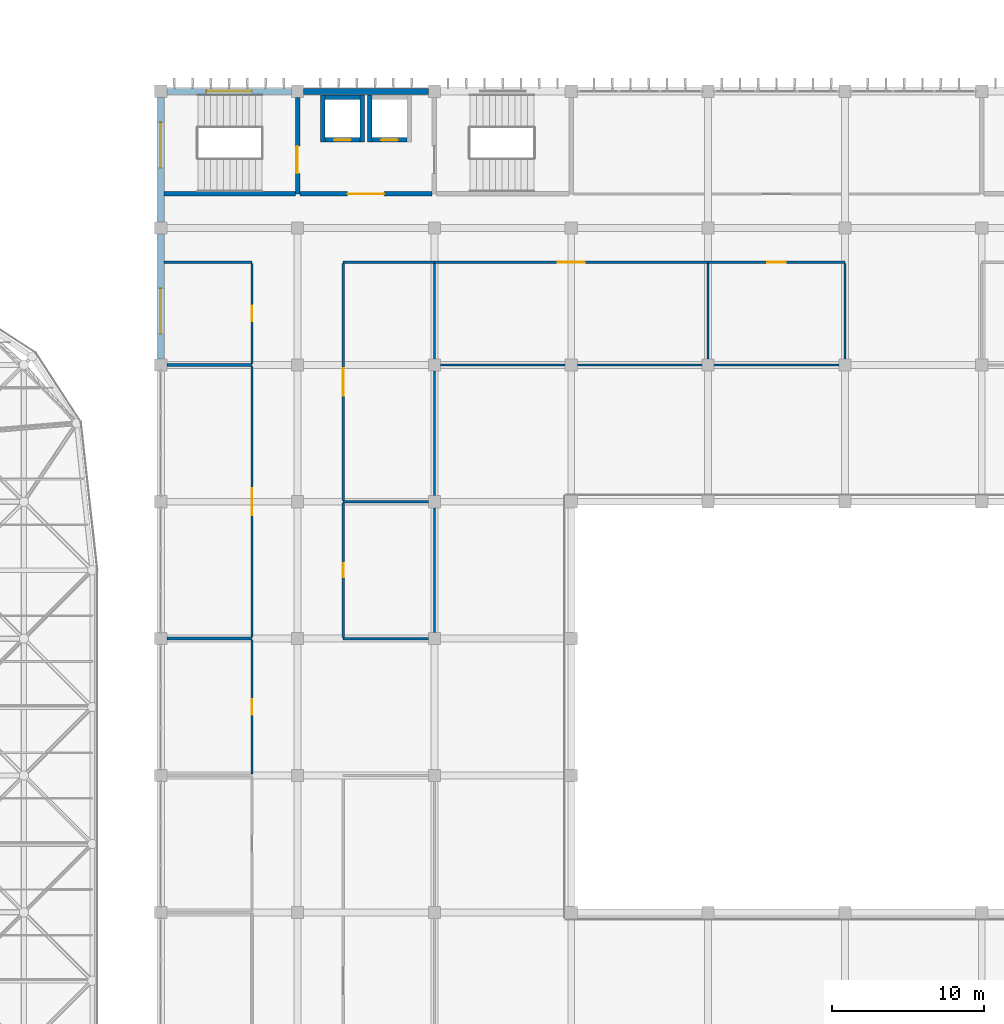
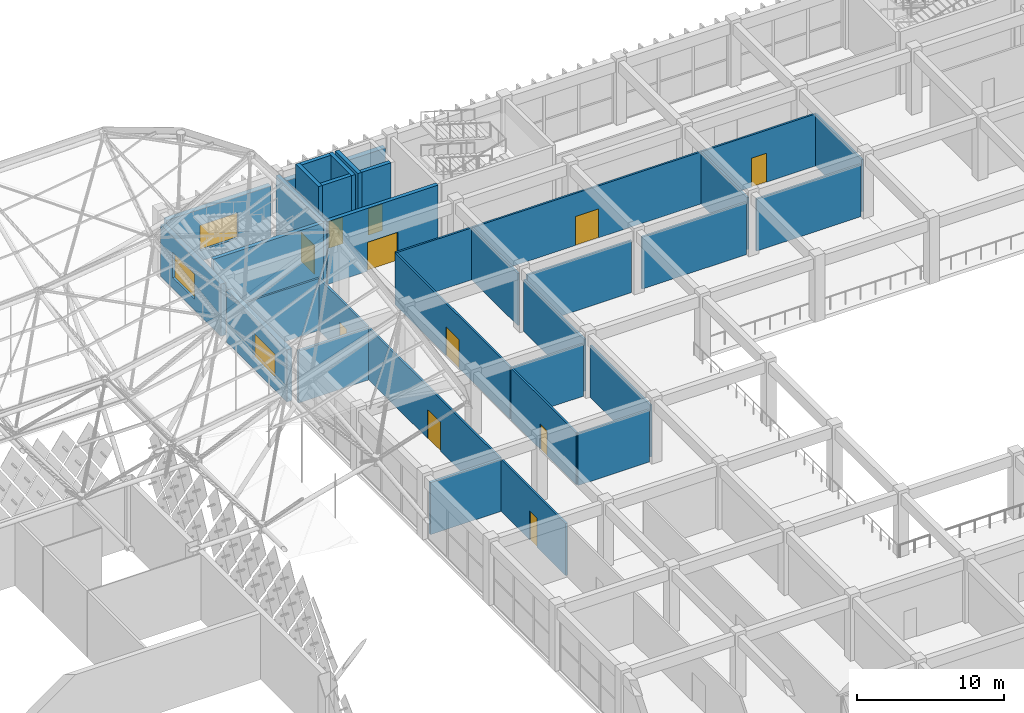
# One storey, part 279 of 437: 34 walls, 11 doors, 3 windows, 14 openings.
"""IFC4 building model written with IfcOpenShell, lengths in metres."""

from ifc_helpers import new_model, si_unit, direction, frame, frame_2d, origin, place, context, subcontext, project, spatial, rectangle, extrude, material, layer, layer_set, type_object, element, fill, save


model = new_model("IFC4")

# Units and contexts
model_context = context("Model", 3, precision=1e-05, world=origin(), true_north=direction((0.0, 1.0)))
body_context = subcontext(model_context, "Body", "Model", "MODEL_VIEW")
ifc_project = project(units=[si_unit("LENGTHUNIT", "METRE"), si_unit("AREAUNIT", "SQUARE_METRE"), si_unit("VOLUMEUNIT", "CUBIC_METRE"), si_unit("PLANEANGLEUNIT", "RADIAN"), si_unit("MASSUNIT", "GRAM", prefix="KILO")], contexts=[model_context])

# Site, building, storey
site_placement = place(None, origin())
site = spatial("IfcSite", under=ifc_project, at=site_placement, CompositionType="ELEMENT")
building_placement = place(site_placement, origin())
building = spatial("IfcBuilding", under=site, at=building_placement, Name="Opaline Strait Convention Centre", CompositionType="ELEMENT")
storey_placement = place(building_placement, frame((0.0, 0.0, 11.5)))
storey = spatial("IfcBuildingStorey", under=building, at=storey_placement, Name="L02", CompositionType="ELEMENT", Elevation=11.5)

# Walls
ifc_material_1 = material(Name="Gypsum board")
ifc_layer_1 = layer(ifc_material_1, 0.050048828125)
ifc_material_2 = material(Name="Steel stud and mineral wool", Category="steel")
ifc_layer_2 = layer(ifc_material_2, 0.10009765625)
ifc_layer_3 = layer(ifc_material_1, 0.050048828125)
ifc_layer_set_1 = layer_set([ifc_layer_1, ifc_layer_2, ifc_layer_3], Name="Gypsum board, Steel stud and mineral wool, Gypsum board")
wall_type_1 = type_object("IfcWallType", Name="Acoustic partition 200 EI45", PredefinedType="PARTITIONING", material=ifc_layer_set_1)
for number, where, z_axis, x_axis, name in (
    (1, (279.39990234375, 144.0, 0.0), (0.0, 0.0, 1.0), (1.0, 0.0, 0.0), "MPW5 partition VIP Suite 2.04 N"),
    (2, (279.39990234375, 162.0, 0.0), (0.0, 0.0, 1.0), (1.0, 0.0, 0.0), "MPW5 partition Meeting Room 2.05 N"),
):
    element("IfcWall", number, at=place(storey_placement, frame(where, z_axis=z_axis, x_axis=x_axis)), inside=storey, type_object=wall_type_1, Name=name, PredefinedType="PARTITIONING", context=body_context, shape_type="SweptSolid", body=[
        extrude(rectangle(XDim=5.60009765625, YDim=0.199951171875, at=frame_2d((2.800048828125, 0.0))), origin(), (0.0, 0.0, 1.0), 4.320068359375),
    ])

# Wall, opening, door
ifc_layer_4 = layer(ifc_material_1, 0.032470703125)
ifc_layer_5 = layer(ifc_material_2, 0.0849609375)
ifc_layer_6 = layer(ifc_material_1, 0.032470703125)
ifc_layer_set_2 = layer_set([ifc_layer_4, ifc_layer_5, ifc_layer_6], Name="Gypsum board, Steel stud and mineral wool, Gypsum board")
wall_type_2 = type_object("IfcWallType", Name="Corridor partition 150 EI60", PredefinedType="PARTITIONING", material=ifc_layer_set_2)
wall_1_placement = place(storey_placement, frame((285.0, 135.10009765625, 0.0), z_axis=(0.0, 0.0, 1.0), x_axis=(0.0, 1.0, 0.0)))
wall_1 = element("IfcWall", 3, at=wall_1_placement, inside=storey, type_object=wall_type_2, Name="MPW1 partition VIP Suite 2.04 E", PredefinedType="PARTITIONING", context=body_context, shape_type="SweptSolid", body=[
    extrude(rectangle(XDim=8.7998046875, YDim=0.14990234375, at=frame_2d((4.39990234375, 0.0))), origin(), (0.0, 0.0, 1.0), 4.320068359375),
])
opening_1_placement = place(wall_1_placement, frame((3.89990234375, 0.0, 0.0)))
opening_1 = element("IfcOpeningElement", 4, at=opening_1_placement, cuts=wall_1, Name="Opening M2-024", PredefinedType="OPENING", context=body_context, shape_type="SweptSolid", body=[
    extrude(rectangle(XDim=1.0, YDim=2.39990234375, at=frame_2d((0.5, 1.199951171875))), frame((0.0, 0.0849609375, 0.0), z_axis=(0.0, -1.0, 0.0), x_axis=(1.0, 0.0, 0.0)), (0.0, 0.0, 1.0), 0.169921875),
])
ifc_material_3 = material(Name="Solid-core timber leaf, steel frame door set", Category="steel")
door_type_1 = type_object("IfcDoorType", Name="Meeting room door FD30 1000 x 2400", OperationType="SINGLE_SWING_LEFT", PredefinedType="DOOR", material=ifc_material_3)
door_1_placement = place(opening_1_placement, frame((1.0, 0.0, 0.0), z_axis=(0.0, 0.0, 1.0), x_axis=(-1.0, 0.0, 0.0)))
door_1 = element("IfcDoor", 5, at=door_1_placement, inside=storey, type_object=door_type_1, Name="Door VIP Suite 2.04", ObjectType="MD8", OperationType="SINGLE_SWING_RIGHT", OverallHeight=2.39990234375, OverallWidth=1.0, PredefinedType="DOOR", context=body_context, shape_type="SweptSolid", body=[
    extrude(rectangle(XDim=1.0, YDim=2.39990234375, at=frame_2d((0.5, 1.199951171875))), frame((0.0, 0.02490234375, 0.0), z_axis=(0.0, -1.0, 0.0), x_axis=(1.0, 0.0, 0.0)), (0.0, 0.0, 1.0), 0.050048828125),
])
fill(opening_1, door_1)

wall_2_placement = place(storey_placement, frame((285.0, 144.10009765625, 0.0), z_axis=(0.0, 0.0, 1.0), x_axis=(0.0, 1.0, 0.0)))
wall_2 = element("IfcWall", 6, at=wall_2_placement, inside=storey, type_object=wall_type_2, Name="MPW1 partition Meeting Room 2.05 E", PredefinedType="PARTITIONING", context=body_context, shape_type="SweptSolid", body=[
    extrude(rectangle(XDim=17.7998046875, YDim=0.14990234375, at=frame_2d((8.89990234375, 0.0))), origin(), (0.0, 0.0, 1.0), 4.320068359375),
])
opening_2_placement = place(wall_2_placement, frame((8.0, 0.0, 0.0)))
opening_2 = element("IfcOpeningElement", 7, at=opening_2_placement, cuts=wall_2, Name="Opening M2-025", PredefinedType="OPENING", context=body_context, shape_type="SweptSolid", body=[
    extrude(rectangle(XDim=1.800048828125, YDim=2.39990234375, at=frame_2d((0.89990234375, 1.199951171875))), frame((0.0, 0.0849609375, 0.0), z_axis=(0.0, -1.0, 0.0), x_axis=(1.0, 0.0, 0.0)), (0.0, 0.0, 1.0), 0.169921875),
])
door_type_2 = type_object("IfcDoorType", Name="Meeting room double door FD30 1800 x 2400", OperationType="DOUBLE_DOOR_SINGLE_SWING", PredefinedType="DOOR", material=ifc_material_3)
door_2_placement = place(opening_2_placement, frame((1.800048828125, 0.0, 0.0), z_axis=(0.0, 0.0, 1.0), x_axis=(-1.0, 0.0, 0.0)))
door_2 = element("IfcDoor", 8, at=door_2_placement, inside=storey, type_object=door_type_2, Name="Door Meeting Room 2.05", ObjectType="MD7", OperationType="DOUBLE_DOOR_SINGLE_SWING", OverallHeight=2.39990234375, OverallWidth=1.800048828125, PredefinedType="DOOR", context=body_context, shape_type="SweptSolid", body=[
    extrude(rectangle(XDim=1.800048828125, YDim=2.39990234375, at=frame_2d((0.89990234375, 1.199951171875))), frame((0.0, 0.02490234375, 0.0), z_axis=(0.0, -1.0, 0.0), x_axis=(1.0, 0.0, 0.0)), (0.0, 0.0, 1.0), 0.050048828125),
])
fill(opening_2, door_2)

# Wall
wall_3_placement = place(storey_placement, frame((279.199951171875, 168.75, 0.0), z_axis=(0.0, 0.0, 1.0), x_axis=(1.0, 0.0, 0.0)))
element("IfcWall", 9, at=wall_3_placement, inside=storey, type_object=wall_type_2, Name="MPW1 partition Boardroom 2.06 N", PredefinedType="PARTITIONING", context=body_context, shape_type="SweptSolid", body=[
    extrude(rectangle(XDim=5.800048828125, YDim=0.14990234375, at=frame_2d((2.89990234375, 0.0))), origin(), (0.0, 0.0, 1.0), 4.320068359375),
])

# Wall, opening, door
wall_4_placement = place(storey_placement, frame((285.0, 162.10009765625, 0.0), z_axis=(0.0, 0.0, 1.0), x_axis=(0.0, 1.0, 0.0)))
wall_4 = element("IfcWall", 10, at=wall_4_placement, inside=storey, type_object=wall_type_2, Name="MPW1 partition Boardroom 2.06 E", PredefinedType="PARTITIONING", context=body_context, shape_type="SweptSolid", body=[
    extrude(rectangle(XDim=6.574951171875, YDim=0.14990234375, at=frame_2d((3.28759765625, 0.0))), origin(), (0.0, 0.0, 1.0), 4.320068359375),
])
opening_3_placement = place(wall_4_placement, frame((2.787353515625, 0.0, 0.0)))
opening_3 = element("IfcOpeningElement", 11, at=opening_3_placement, cuts=wall_4, Name="Opening M2-026", PredefinedType="OPENING", context=body_context, shape_type="SweptSolid", body=[
    extrude(rectangle(XDim=1.0, YDim=2.39990234375, at=frame_2d((0.5, 1.199951171875))), frame((0.0, 0.0849609375, 0.0), z_axis=(0.0, -1.0, 0.0), x_axis=(1.0, 0.0, 0.0)), (0.0, 0.0, 1.0), 0.169921875),
])
door_3_placement = place(opening_3_placement, frame((1.0, 0.0, 0.0), z_axis=(0.0, 0.0, 1.0), x_axis=(-1.0, 0.0, 0.0)))
door_3 = element("IfcDoor", 12, at=door_3_placement, inside=storey, type_object=door_type_1, Name="Door Boardroom 2.06", ObjectType="MD8", OperationType="SINGLE_SWING_LEFT", OverallHeight=2.39990234375, OverallWidth=1.0, PredefinedType="DOOR", context=body_context, shape_type="SweptSolid", body=[
    extrude(rectangle(XDim=1.0, YDim=2.39990234375, at=frame_2d((0.5, 1.199951171875))), frame((0.0, 0.02490234375, 0.0), z_axis=(0.0, -1.0, 0.0), x_axis=(1.0, 0.0, 0.0)), (0.0, 0.0, 1.0), 0.050048828125),
])
fill(opening_3, door_3)

# Wall
wall_5_placement = place(storey_placement, frame((291.0, 168.75, 0.0), z_axis=(0.0, 0.0, 1.0), x_axis=(1.0, 0.0, 0.0)))
element("IfcWall", 13, at=wall_5_placement, inside=storey, type_object=wall_type_2, Name="MPW1 partition VIP Suite 2.10 N", PredefinedType="PARTITIONING", context=body_context, shape_type="SweptSolid", body=[
    extrude(rectangle(XDim=6.0, YDim=0.14990234375, at=frame_2d((3.0, 0.0))), origin(), (0.0, 0.0, 1.0), 4.320068359375),
])

# Wall, opening, door
wall_6_placement = place(storey_placement, frame((291.0, 153.074951171875, 0.0), z_axis=(0.0, 0.0, 1.0), x_axis=(0.0, 1.0, 0.0)))
wall_6 = element("IfcWall", 14, at=wall_6_placement, inside=storey, type_object=wall_type_2, Name="MPW1 partition VIP Suite 2.10 W", PredefinedType="PARTITIONING", context=body_context, shape_type="SweptSolid", body=[
    extrude(rectangle(XDim=15.60009765625, YDim=0.14990234375, at=frame_2d((7.800048828125, 0.0))), origin(), (0.0, 0.0, 1.0), 4.320068359375),
])
opening_4_placement = place(wall_6_placement, frame((6.900146484375, 0.0, 0.0)))
opening_4 = element("IfcOpeningElement", 15, at=opening_4_placement, cuts=wall_6, Name="Opening M2-030", PredefinedType="OPENING", context=body_context, shape_type="SweptSolid", body=[
    extrude(rectangle(XDim=1.800048828125, YDim=2.39990234375, at=frame_2d((0.89990234375, 1.199951171875))), frame((0.0, 0.0849609375, 0.0), z_axis=(0.0, -1.0, 0.0), x_axis=(1.0, 0.0, 0.0)), (0.0, 0.0, 1.0), 0.169921875),
])
door_4_placement = place(opening_4_placement, origin())
door_4 = element("IfcDoor", 16, at=door_4_placement, inside=storey, type_object=door_type_2, Name="Door VIP Suite 2.10", ObjectType="MD7", OperationType="DOUBLE_DOOR_SINGLE_SWING", OverallHeight=2.39990234375, OverallWidth=1.800048828125, PredefinedType="DOOR", context=body_context, shape_type="SweptSolid", body=[
    extrude(rectangle(XDim=1.800048828125, YDim=2.39990234375, at=frame_2d((0.89990234375, 1.199951171875))), frame((0.0, 0.02490234375, 0.0), z_axis=(0.0, -1.0, 0.0), x_axis=(1.0, 0.0, 0.0)), (0.0, 0.0, 1.0), 0.050048828125),
])
fill(opening_4, door_4)

# Walls
wall_7_placement = place(storey_placement, frame((297.0, 153.39990234375, 0.0), z_axis=(0.0, 0.0, 1.0), x_axis=(0.0, 1.0, 0.0)))
element("IfcWall", 17, at=wall_7_placement, inside=storey, type_object=wall_type_2, Name="MPW1 partition VIP Suite 2.10 E", PredefinedType="PARTITIONING", context=body_context, shape_type="SweptSolid", body=[
    extrude(rectangle(XDim=8.2001953125, YDim=0.14990234375, at=frame_2d((4.10009765625, 0.0))), origin(), (0.0, 0.0, 1.0), 4.320068359375),
])
wall_8_placement = place(storey_placement, frame((297.0, 162.39990234375, 0.0), z_axis=(0.0, 0.0, 1.0), x_axis=(0.0, 1.0, 0.0)))
element("IfcWall", 18, at=wall_8_placement, inside=storey, type_object=wall_type_2, Name="MPW1 partition VIP Suite 2.10 E", PredefinedType="PARTITIONING", context=body_context, shape_type="SweptSolid", body=[
    extrude(rectangle(XDim=6.275146484375, YDim=0.14990234375, at=frame_2d((3.1376953125, 0.0))), origin(), (0.0, 0.0, 1.0), 4.320068359375),
])
for number, where, z_axis, x_axis, name in (
    (19, (297.39990234375, 162.0, 0.0), (0.0, 0.0, 1.0), (1.0, 0.0, 0.0), "MPW1 partition VIP Suite 2.19 S"),
    (20, (306.39990234375, 162.0, 0.0), (0.0, 0.0, 1.0), (1.0, 0.0, 0.0), "MPW1 partition VIP Suite 2.19 S"),
):
    element("IfcWall", number, at=place(storey_placement, frame(where, z_axis=z_axis, x_axis=x_axis)), inside=storey, type_object=wall_type_2, Name=name, PredefinedType="PARTITIONING", context=body_context, shape_type="SweptSolid", body=[
        extrude(rectangle(XDim=8.2001953125, YDim=0.14990234375, at=frame_2d((4.10009765625, 0.0))), origin(), (0.0, 0.0, 1.0), 4.320068359375),
    ])

# Wall, opening, door
wall_9_placement = place(storey_placement, frame((297.0, 168.75, 0.0), z_axis=(0.0, 0.0, 1.0), x_axis=(1.0, 0.0, 0.0)))
wall_9 = element("IfcWall", 21, at=wall_9_placement, inside=storey, type_object=wall_type_2, Name="MPW1 partition VIP Suite 2.19 N", PredefinedType="PARTITIONING", context=body_context, shape_type="SweptSolid", body=[
    extrude(rectangle(XDim=18.0, YDim=0.14990234375, at=frame_2d((9.0, 0.0))), origin(), (0.0, 0.0, 1.0), 4.320068359375),
])
opening_5_placement = place(wall_9_placement, frame((8.10009765625, 0.0, 0.0)))
opening_5 = element("IfcOpeningElement", 22, at=opening_5_placement, cuts=wall_9, Name="Opening M2-039", PredefinedType="OPENING", context=body_context, shape_type="SweptSolid", body=[
    extrude(rectangle(XDim=1.800048828125, YDim=2.39990234375, at=frame_2d((0.89990234375, 1.199951171875))), frame((0.0, 0.0849609375, 0.0), z_axis=(0.0, -1.0, 0.0), x_axis=(1.0, 0.0, 0.0)), (0.0, 0.0, 1.0), 0.169921875),
])
door_5_placement = place(opening_5_placement, origin())
door_5 = element("IfcDoor", 23, at=door_5_placement, inside=storey, type_object=door_type_2, Name="Door VIP Suite 2.19", ObjectType="MD7", OperationType="DOUBLE_DOOR_SINGLE_SWING", OverallHeight=2.39990234375, OverallWidth=1.800048828125, PredefinedType="DOOR", context=body_context, shape_type="SweptSolid", body=[
    extrude(rectangle(XDim=1.800048828125, YDim=2.39990234375, at=frame_2d((0.89990234375, 1.199951171875))), frame((0.0, 0.02490234375, 0.0), z_axis=(0.0, -1.0, 0.0), x_axis=(1.0, 0.0, 0.0)), (0.0, 0.0, 1.0), 0.050048828125),
])
fill(opening_5, door_5)

# Wall, opening, window
ifc_material_4 = material(Name="Concrete C40 precast", Category="concrete")
ifc_layer_7 = layer(ifc_material_4, 0.10009765625)
ifc_material_5 = material(Name="Mineral wool insulation")
ifc_layer_8 = layer(ifc_material_5, 0.14990234375)
ifc_layer_9 = layer(ifc_material_4, 0.14990234375)
ifc_layer_set_3 = layer_set([ifc_layer_7, ifc_layer_8, ifc_layer_9], Name="Concrete C40 precast, Mineral wool insulation, Concrete C40 precast")
wall_type_3 = type_object("IfcWallType", Name="External wall 400 insulated precast EI60", PredefinedType="STANDARD", material=ifc_layer_set_3)
wall_10_placement = place(storey_placement, frame((279.39990234375, 180.0, 0.0), z_axis=(0.0, 0.0, 1.0), x_axis=(1.0, 0.0, 0.0)))
wall_10 = element("IfcWall", 24, at=wall_10_placement, inside=storey, type_object=wall_type_3, Name="External wall N L02 32/W", PredefinedType="STANDARD", context=body_context, shape_type="SweptSolid", body=[
    extrude(rectangle(XDim=8.2001953125, YDim=0.39990234375, at=frame_2d((4.10009765625, 0.0))), origin(), (0.0, 0.0, 1.0), 4.320068359375),
])
opening_6_placement = place(wall_10_placement, frame((2.60009765625, 0.0, 0.89990234375)))
opening_6 = element("IfcOpeningElement", 25, at=opening_6_placement, cuts=wall_10, Name="Opening MW2", PredefinedType="OPENING", context=body_context, shape_type="SweptSolid", body=[
    extrude(rectangle(XDim=3.0, YDim=2.10009765625, at=frame_2d((1.5, 1.050048828125))), frame((0.0, 0.2099609375, 0.0), z_axis=(0.0, -1.0, 0.0), x_axis=(1.0, 0.0, 0.0)), (0.0, 0.0, 1.0), 0.419921875),
])
ifc_material_6 = material(Name="Aluminium framed double glazing", Category="aluminium")
window_type = type_object("IfcWindowType", Name="Window 3000 x 2100", PartitioningType="TRIPLE_PANEL_VERTICAL", PredefinedType="WINDOW", material=ifc_material_6)
window_1_placement = place(opening_6_placement, origin())
window_1 = element("IfcWindow", 26, at=window_1_placement, inside=storey, type_object=window_type, Name="Window Escape Stair S5 N", OverallHeight=2.10009765625, OverallWidth=3.0, PartitioningType="TRIPLE_PANEL_VERTICAL", PredefinedType="WINDOW", context=body_context, shape_type="SweptSolid", body=[
    extrude(rectangle(XDim=3.0, YDim=2.10009765625, at=frame_2d((1.5, 1.050048828125))), frame((0.0, 0.030029296875, 0.0), z_axis=(0.0, -1.0, 0.0), x_axis=(1.0, 0.0, 0.0)), (0.0, 0.0, 1.0), 0.06005859375),
])
fill(opening_6, window_1)

# Wall
wall_11_placement = place(storey_placement, frame((288.39990234375, 180.0, 0.0), z_axis=(0.0, 0.0, 1.0), x_axis=(1.0, 0.0, 0.0)))
element("IfcWall", 27, at=wall_11_placement, inside=storey, type_object=wall_type_3, Name="External wall N L02 33/W", PredefinedType="STANDARD", context=body_context, shape_type="SweptSolid", body=[
    extrude(rectangle(XDim=8.2001953125, YDim=0.39990234375, at=frame_2d((4.10009765625, 0.0))), origin(), (0.0, 0.0, 1.0), 4.320068359375),
])

# Wall, opening, window
wall_12_placement = place(storey_placement, frame((279.0, 162.39990234375, 0.0), z_axis=(0.0, 0.0, 1.0), x_axis=(0.0, 1.0, 0.0)))
wall_12 = element("IfcWall", 28, at=wall_12_placement, inside=storey, type_object=wall_type_3, Name="External wall W L02 32/U", PredefinedType="STANDARD", context=body_context, shape_type="SweptSolid", body=[
    extrude(rectangle(XDim=8.2001953125, YDim=0.39990234375, at=frame_2d((4.10009765625, 0.0))), origin(), (0.0, 0.0, 1.0), 4.320068359375),
])
opening_7_placement = place(wall_12_placement, frame((1.6376953125, 0.0, 0.89990234375)))
opening_7 = element("IfcOpeningElement", 29, at=opening_7_placement, cuts=wall_12, Name="Opening MW2", PredefinedType="OPENING", context=body_context, shape_type="SweptSolid", body=[
    extrude(rectangle(XDim=3.0, YDim=2.10009765625, at=frame_2d((1.5, 1.050048828125))), frame((0.0, 0.2099609375, 0.0), z_axis=(0.0, -1.0, 0.0), x_axis=(1.0, 0.0, 0.0)), (0.0, 0.0, 1.0), 0.419921875),
])
window_2_placement = place(opening_7_placement, origin())
window_2 = element("IfcWindow", 30, at=window_2_placement, inside=storey, type_object=window_type, Name="Window Boardroom 2.06 W", OverallHeight=2.10009765625, OverallWidth=3.0, PartitioningType="TRIPLE_PANEL_VERTICAL", PredefinedType="WINDOW", context=body_context, shape_type="SweptSolid", body=[
    extrude(rectangle(XDim=3.0, YDim=2.10009765625, at=frame_2d((1.5, 1.050048828125))), frame((0.0, 0.030029296875, 0.0), z_axis=(0.0, -1.0, 0.0), x_axis=(1.0, 0.0, 0.0)), (0.0, 0.0, 1.0), 0.06005859375),
])
fill(opening_7, window_2)

wall_13_placement = place(storey_placement, frame((279.0, 171.39990234375, 0.0), z_axis=(0.0, 0.0, 1.0), x_axis=(0.0, 1.0, 0.0)))
wall_13 = element("IfcWall", 31, at=wall_13_placement, inside=storey, type_object=wall_type_3, Name="External wall W L02 32/V", PredefinedType="STANDARD", context=body_context, shape_type="SweptSolid", body=[
    extrude(rectangle(XDim=8.2001953125, YDim=0.39990234375, at=frame_2d((4.10009765625, 0.0))), origin(), (0.0, 0.0, 1.0), 4.320068359375),
])
opening_8_placement = place(wall_13_placement, frame((3.5625, 0.0, 0.89990234375)))
opening_8 = element("IfcOpeningElement", 32, at=opening_8_placement, cuts=wall_13, Name="Opening MW2", PredefinedType="OPENING", context=body_context, shape_type="SweptSolid", body=[
    extrude(rectangle(XDim=3.0, YDim=2.10009765625, at=frame_2d((1.5, 1.050048828125))), frame((0.0, 0.2099609375, 0.0), z_axis=(0.0, -1.0, 0.0), x_axis=(1.0, 0.0, 0.0)), (0.0, 0.0, 1.0), 0.419921875),
])
window_3_placement = place(opening_8_placement, origin())
window_3 = element("IfcWindow", 33, at=window_3_placement, inside=storey, type_object=window_type, Name="Window Escape Stair S5 W", OverallHeight=2.10009765625, OverallWidth=3.0, PartitioningType="TRIPLE_PANEL_VERTICAL", PredefinedType="WINDOW", context=body_context, shape_type="SweptSolid", body=[
    extrude(rectangle(XDim=3.0, YDim=2.10009765625, at=frame_2d((1.5, 1.050048828125))), frame((0.0, 0.030029296875, 0.0), z_axis=(0.0, -1.0, 0.0), x_axis=(1.0, 0.0, 0.0)), (0.0, 0.0, 1.0), 0.06005859375),
])
fill(opening_8, window_3)

# Walls
ifc_layer_10 = layer(ifc_material_1, 0.032470703125)
ifc_layer_11 = layer(ifc_material_2, 0.0849609375)
ifc_layer_12 = layer(ifc_material_1, 0.032470703125)
ifc_layer_set_4 = layer_set([ifc_layer_10, ifc_layer_11, ifc_layer_12], Name="Gypsum board, Steel stud and mineral wool, Gypsum board")
wall_type_4 = type_object("IfcWallType", Name="Plant room partition 150 EI120", PredefinedType="PARTITIONING", material=ifc_layer_set_4)
for number, where, z_axis, x_axis, name in (
    (34, (291.0, 144.0, 0.0), (0.0, 0.0, 1.0), (1.0, 0.0, 0.0), "MPW3 partition Riser Room 2.09 S"),
    (35, (291.0, 153.0, 0.0), (0.0, 0.0, 1.0), (1.0, 0.0, 0.0), "MPW3 partition Riser Room 2.09 N"),
):
    element("IfcWall", number, at=place(storey_placement, frame(where, z_axis=z_axis, x_axis=x_axis)), inside=storey, type_object=wall_type_4, Name=name, PredefinedType="PARTITIONING", context=body_context, shape_type="SweptSolid", body=[
        extrude(rectangle(XDim=5.60009765625, YDim=0.14990234375, at=frame_2d((2.800048828125, 0.0))), origin(), (0.0, 0.0, 1.0), 4.320068359375),
    ])

# Wall, opening, door
wall_14_placement = place(storey_placement, frame((291.0, 144.074951171875, 0.0), z_axis=(0.0, 0.0, 1.0), x_axis=(0.0, 1.0, 0.0)))
wall_14 = element("IfcWall", 36, at=wall_14_placement, inside=storey, type_object=wall_type_4, Name="MPW3 partition Riser Room 2.09 W", PredefinedType="PARTITIONING", context=body_context, shape_type="SweptSolid", body=[
    extrude(rectangle(XDim=8.85009765625, YDim=0.14990234375, at=frame_2d((4.425048828125, 0.0))), origin(), (0.0, 0.0, 1.0), 4.320068359375),
])
opening_9_placement = place(wall_14_placement, frame((3.97509765625, 0.0, 0.0)))
opening_9 = element("IfcOpeningElement", 37, at=opening_9_placement, cuts=wall_14, Name="Opening M2-029", PredefinedType="OPENING", context=body_context, shape_type="SweptSolid", body=[
    extrude(rectangle(XDim=0.89990234375, YDim=2.10009765625, at=frame_2d((0.449951171875, 1.050048828125))), frame((0.0, 0.0849609375, 0.0), z_axis=(0.0, -1.0, 0.0), x_axis=(1.0, 0.0, 0.0)), (0.0, 0.0, 1.0), 0.169921875),
])
ifc_material_7 = material(Name="Steel Q235B", Category="steel")
door_type_3 = type_object("IfcDoorType", Name="Riser door FD30 900 x 2100", OperationType="SINGLE_SWING_LEFT", PredefinedType="DOOR", material=ifc_material_7)
door_6_placement = place(opening_9_placement, origin())
door_6 = element("IfcDoor", 38, at=door_6_placement, inside=storey, type_object=door_type_3, Name="Door Riser Room 2.09", ObjectType="MD10", OperationType="SINGLE_SWING_RIGHT", OverallHeight=2.10009765625, OverallWidth=0.89990234375, PredefinedType="DOOR", context=body_context, shape_type="SweptSolid", body=[
    extrude(rectangle(XDim=0.89990234375, YDim=2.10009765625, at=frame_2d((0.449951171875, 1.050048828125))), frame((0.0, 0.02490234375, 0.0), z_axis=(0.0, -1.0, 0.0), x_axis=(1.0, 0.0, 0.0)), (0.0, 0.0, 1.0), 0.050048828125),
])
fill(opening_9, door_6)

# Walls
wall_15_placement = place(storey_placement, frame((297.0, 144.39990234375, 0.0), z_axis=(0.0, 0.0, 1.0), x_axis=(0.0, 1.0, 0.0)))
element("IfcWall", 39, at=wall_15_placement, inside=storey, type_object=wall_type_4, Name="MPW3 partition Riser Room 2.09 E", PredefinedType="PARTITIONING", context=body_context, shape_type="SweptSolid", body=[
    extrude(rectangle(XDim=8.2001953125, YDim=0.14990234375, at=frame_2d((4.10009765625, 0.0))), origin(), (0.0, 0.0, 1.0), 4.320068359375),
])
wall_16_placement = place(storey_placement, frame((315.0, 162.39990234375, 0.0), z_axis=(0.0, 0.0, 1.0), x_axis=(0.0, 1.0, 0.0)))
element("IfcWall", 40, at=wall_16_placement, inside=storey, type_object=wall_type_4, Name="MPW3 partition VIP Suite 2.19 E", PredefinedType="PARTITIONING", context=body_context, shape_type="SweptSolid", body=[
    extrude(rectangle(XDim=6.275146484375, YDim=0.14990234375, at=frame_2d((3.1376953125, 0.0))), origin(), (0.0, 0.0, 1.0), 4.320068359375),
])
wall_17_placement = place(storey_placement, frame((315.39990234375, 162.0, 0.0), z_axis=(0.0, 0.0, 1.0), x_axis=(1.0, 0.0, 0.0)))
element("IfcWall", 41, at=wall_17_placement, inside=storey, type_object=wall_type_4, Name="MPW3 partition Electrical Room 2.20 S", PredefinedType="PARTITIONING", context=body_context, shape_type="SweptSolid", body=[
    extrude(rectangle(XDim=8.2001953125, YDim=0.14990234375, at=frame_2d((4.10009765625, 0.0))), origin(), (0.0, 0.0, 1.0), 4.320068359375),
])

# Wall, opening, door
wall_18_placement = place(storey_placement, frame((315.0, 168.75, 0.0), z_axis=(0.0, 0.0, 1.0), x_axis=(1.0, 0.0, 0.0)))
wall_18 = element("IfcWall", 42, at=wall_18_placement, inside=storey, type_object=wall_type_4, Name="MPW3 partition Electrical Room 2.20 N", PredefinedType="PARTITIONING", context=body_context, shape_type="SweptSolid", body=[
    extrude(rectangle(XDim=9.0, YDim=0.14990234375, at=frame_2d((4.5, 0.0))), origin(), (0.0, 0.0, 1.0), 4.320068359375),
])
opening_10_placement = place(wall_18_placement, frame((3.89990234375, 0.0, 0.0)))
opening_10 = element("IfcOpeningElement", 43, at=opening_10_placement, cuts=wall_18, Name="Opening M2-040", PredefinedType="OPENING", context=body_context, shape_type="SweptSolid", body=[
    extrude(rectangle(XDim=1.199951171875, YDim=2.39990234375, at=frame_2d((0.60009765625, 1.199951171875))), frame((0.0, 0.0849609375, 0.0), z_axis=(0.0, -1.0, 0.0), x_axis=(1.0, 0.0, 0.0)), (0.0, 0.0, 1.0), 0.169921875),
])
door_type_4 = type_object("IfcDoorType", Name="Plant room door FD60 1200 x 2400", OperationType="SINGLE_SWING_LEFT", PredefinedType="DOOR", material=ifc_material_7)
door_7_placement = place(opening_10_placement, origin())
door_7 = element("IfcDoor", 44, at=door_7_placement, inside=storey, type_object=door_type_4, Name="Door Electrical Room 2.20", ObjectType="MD9", OperationType="SINGLE_SWING_LEFT", OverallHeight=2.39990234375, OverallWidth=1.199951171875, PredefinedType="DOOR", context=body_context, shape_type="SweptSolid", body=[
    extrude(rectangle(XDim=1.199951171875, YDim=2.39990234375, at=frame_2d((0.60009765625, 1.199951171875))), frame((0.0, 0.02490234375, 0.0), z_axis=(0.0, -1.0, 0.0), x_axis=(1.0, 0.0, 0.0)), (0.0, 0.0, 1.0), 0.050048828125),
])
fill(opening_10, door_7)

# Wall
wall_19_placement = place(storey_placement, frame((324.0, 162.39990234375, 0.0), z_axis=(0.0, 0.0, 1.0), x_axis=(0.0, 1.0, 0.0)))
element("IfcWall", 45, at=wall_19_placement, inside=storey, type_object=wall_type_4, Name="MPW3 partition Electrical Room 2.20 E", PredefinedType="PARTITIONING", context=body_context, shape_type="SweptSolid", body=[
    extrude(rectangle(XDim=6.275146484375, YDim=0.14990234375, at=frame_2d((3.1376953125, 0.0))), origin(), (0.0, 0.0, 1.0), 4.320068359375),
])

# Wall, opening, door
ifc_material_8 = material(Name="Concrete C40", Category="concrete")
ifc_layer_13 = layer(ifc_material_8, 0.300048828125)
ifc_layer_set_5 = layer_set([ifc_layer_13], Name="Concrete C40")
wall_type_5 = type_object("IfcWallType", Name="RC core wall 300 C40", PredefinedType="SHEAR", material=ifc_layer_set_5)
wall_20_placement = place(storey_placement, frame((288.0, 173.25, 0.0), z_axis=(0.0, 0.0, 1.0), x_axis=(0.0, 1.0, 0.0)))
wall_20 = element("IfcWall", 46, at=wall_20_placement, inside=storey, type_object=wall_type_5, Name="Core wall NW-L02", PredefinedType="SHEAR", context=body_context, shape_type="SweptSolid", body=[
    extrude(rectangle(XDim=6.35009765625, YDim=0.300048828125, at=frame_2d((3.175048828125, 0.0))), origin(), (0.0, 0.0, 1.0), 5.219970703125),
])
opening_11_placement = place(wall_20_placement, frame((1.35009765625, 0.0, 0.0)))
opening_11 = element("IfcOpeningElement", 47, at=opening_11_placement, cuts=wall_20, Name="Opening M2-011", PredefinedType="OPENING", context=body_context, shape_type="SweptSolid", body=[
    extrude(rectangle(XDim=1.800048828125, YDim=2.39990234375, at=frame_2d((0.89990234375, 1.199951171875))), frame((0.0, 0.159912109375, 0.0), z_axis=(0.0, -1.0, 0.0), x_axis=(1.0, 0.0, 0.0)), (0.0, 0.0, 1.0), 0.320068359375),
])
door_type_5 = type_object("IfcDoorType", Name="Stair door FD60 1800 x 2400", OperationType="DOUBLE_DOOR_SINGLE_SWING", PredefinedType="DOOR", material=ifc_material_7)
door_8_placement = place(opening_11_placement, frame((1.800048828125, 0.0, 0.0), z_axis=(0.0, 0.0, 1.0), x_axis=(-1.0, 0.0, 0.0)))
door_8 = element("IfcDoor", 48, at=door_8_placement, inside=storey, type_object=door_type_5, Name="Escape stair S5 door L02", ObjectType="MD4", OperationType="DOUBLE_DOOR_SINGLE_SWING", OverallHeight=2.39990234375, OverallWidth=1.800048828125, PredefinedType="DOOR", context=body_context, shape_type="SweptSolid", body=[
    extrude(rectangle(XDim=1.800048828125, YDim=2.39990234375, at=frame_2d((0.89990234375, 1.199951171875))), frame((0.0, 0.02490234375, 0.0), z_axis=(0.0, -1.0, 0.0), x_axis=(1.0, 0.0, 0.0)), (0.0, 0.0, 1.0), 0.050048828125),
])
fill(opening_11, door_8)

# Wall
wall_21_placement = place(storey_placement, frame((279.199951171875, 173.25, 0.0), z_axis=(0.0, 0.0, 1.0), x_axis=(1.0, 0.0, 0.0)))
element("IfcWall", 49, at=wall_21_placement, inside=storey, type_object=wall_type_5, Name="Core wall NW-L02", PredefinedType="SHEAR", context=body_context, shape_type="SweptSolid", body=[
    extrude(rectangle(XDim=8.650146484375, YDim=0.300048828125, at=frame_2d((4.3251953125, 0.0))), origin(), (0.0, 0.0, 1.0), 5.219970703125),
])

# Wall, opening, door
wall_22_placement = place(storey_placement, frame((288.14990234375, 173.25, 0.0), z_axis=(0.0, 0.0, 1.0), x_axis=(1.0, 0.0, 0.0)))
wall_22 = element("IfcWall", 50, at=wall_22_placement, inside=storey, type_object=wall_type_5, Name="Core wall NW-L02", PredefinedType="SHEAR", context=body_context, shape_type="SweptSolid", body=[
    extrude(rectangle(XDim=8.7001953125, YDim=0.300048828125, at=frame_2d((4.35009765625, 0.0))), origin(), (0.0, 0.0, 1.0), 5.219970703125),
])
opening_12_placement = place(wall_22_placement, frame((3.150146484375, 0.0, 0.0)))
opening_12 = element("IfcOpeningElement", 51, at=opening_12_placement, cuts=wall_22, Name="Opening M2-013", PredefinedType="OPENING", context=body_context, shape_type="SweptSolid", body=[
    extrude(rectangle(XDim=2.39990234375, YDim=2.39990234375, at=frame_2d((1.199951171875, 1.199951171875))), frame((0.0, 0.159912109375, 0.0), z_axis=(0.0, -1.0, 0.0), x_axis=(1.0, 0.0, 0.0)), (0.0, 0.0, 1.0), 0.320068359375),
])
door_type_6 = type_object("IfcDoorType", Name="Lift lobby double door FD60 2400 x 2400", OperationType="DOUBLE_DOOR_SINGLE_SWING", PredefinedType="DOOR", material=ifc_material_7)
door_9_placement = place(opening_12_placement, frame((2.39990234375, 0.0, 0.0), z_axis=(0.0, 0.0, 1.0), x_axis=(-1.0, 0.0, 0.0)))
door_9 = element("IfcDoor", 52, at=door_9_placement, inside=storey, type_object=door_type_6, Name="Lift lobby NW door L02", ObjectType="MD5", OperationType="DOUBLE_DOOR_SINGLE_SWING", OverallHeight=2.39990234375, OverallWidth=2.39990234375, PredefinedType="DOOR", context=body_context, shape_type="SweptSolid", body=[
    extrude(rectangle(XDim=2.39990234375, YDim=2.39990234375, at=frame_2d((1.199951171875, 1.199951171875))), frame((0.0, 0.02490234375, 0.0), z_axis=(0.0, -1.0, 0.0), x_axis=(1.0, 0.0, 0.0)), (0.0, 0.0, 1.0), 0.050048828125),
])
fill(opening_12, door_9)

# Walls
ifc_layer_14 = layer(ifc_material_8, 0.300048828125)
ifc_layer_set_6 = layer_set([ifc_layer_14], Name="Concrete C40")
wall_type_6 = type_object("IfcWallType", Name="RC lift shaft wall 300 C40", PredefinedType="SHEAR", material=ifc_layer_set_6)
for number, where, z_axis, x_axis, name in (
    (53, (289.64990234375, 176.64990234375, 0.0), (0.0, 0.0, 1.0), (0.0, 1.0, 0.0), "Lift shaft NW1 wall L02"),
    (54, (292.25, 176.64990234375, 0.0), (0.0, 0.0, 1.0), (0.0, 1.0, 0.0), "Lift shaft NW1 wall L02"),
):
    element("IfcWall", number, at=place(storey_placement, frame(where, z_axis=z_axis, x_axis=x_axis)), inside=storey, type_object=wall_type_6, Name=name, PredefinedType="SHEAR", context=body_context, shape_type="SweptSolid", body=[
        extrude(rectangle(XDim=3.10009765625, YDim=0.300048828125, at=frame_2d((1.550048828125, 0.0))), origin(), (0.0, 0.0, 1.0), 5.5),
    ])
wall_23_placement = place(storey_placement, frame((289.800048828125, 179.60009765625, 0.0), z_axis=(0.0, 0.0, 1.0), x_axis=(1.0, 0.0, 0.0)))
element("IfcWall", 55, at=wall_23_placement, inside=storey, type_object=wall_type_6, Name="Lift shaft NW1 wall L02", PredefinedType="SHEAR", context=body_context, shape_type="SweptSolid", body=[
    extrude(rectangle(XDim=2.300048828125, YDim=0.300048828125, at=frame_2d((1.14990234375, 0.0))), origin(), (0.0, 0.0, 1.0), 5.5),
])

# Wall, opening, door
wall_24_placement = place(storey_placement, frame((289.800048828125, 176.800048828125, 0.0), z_axis=(0.0, 0.0, 1.0), x_axis=(1.0, 0.0, 0.0)))
wall_24 = element("IfcWall", 56, at=wall_24_placement, inside=storey, type_object=wall_type_6, Name="Lift shaft NW1 wall L02", PredefinedType="SHEAR", context=body_context, shape_type="SweptSolid", body=[
    extrude(rectangle(XDim=2.300048828125, YDim=0.300048828125, at=frame_2d((1.14990234375, 0.0))), origin(), (0.0, 0.0, 1.0), 5.5),
])
opening_13_placement = place(wall_24_placement, frame((0.599853515625, 0.0, 0.0)))
opening_13 = element("IfcOpeningElement", 57, at=opening_13_placement, cuts=wall_24, Name="Opening M2-014", PredefinedType="OPENING", context=body_context, shape_type="SweptSolid", body=[
    extrude(rectangle(XDim=1.10009765625, YDim=2.199951171875, at=frame_2d((0.550048828125, 1.10009765625))), frame((0.0, 0.159912109375, 0.0), z_axis=(0.0, -1.0, 0.0), x_axis=(1.0, 0.0, 0.0)), (0.0, 0.0, 1.0), 0.320068359375),
])
ifc_material_9 = material(Name="Stainless steel 304", Category="steel")
door_type_7 = type_object("IfcDoorType", Name="Lift landing door FD60 1100 x 2200", OperationType="SLIDING_TO_LEFT", PredefinedType="DOOR", material=ifc_material_9)
door_10_placement = place(opening_13_placement, origin())
door_10 = element("IfcDoor", 58, at=door_10_placement, inside=storey, type_object=door_type_7, Name="Lift landing door NW1 L02", ObjectType="MD6", OperationType="SLIDING_TO_RIGHT", OverallHeight=2.199951171875, OverallWidth=1.10009765625, PredefinedType="DOOR", context=body_context, shape_type="SweptSolid", body=[
    extrude(rectangle(XDim=1.10009765625, YDim=2.199951171875, at=frame_2d((0.550048828125, 1.10009765625))), frame((0.0, 0.02490234375, 0.0), z_axis=(0.0, -1.0, 0.0), x_axis=(1.0, 0.0, 0.0)), (0.0, 0.0, 1.0), 0.050048828125),
])
fill(opening_13, door_10)

# Wall
wall_25_placement = place(storey_placement, frame((292.75, 176.64990234375, 0.0), z_axis=(0.0, 0.0, 1.0), x_axis=(0.0, 1.0, 0.0)))
element("IfcWall", 59, at=wall_25_placement, inside=storey, type_object=wall_type_6, Name="Lift shaft NW2 wall L02", PredefinedType="SHEAR", context=body_context, shape_type="SweptSolid", body=[
    extrude(rectangle(XDim=3.10009765625, YDim=0.300048828125, at=frame_2d((1.550048828125, 0.0))), origin(), (0.0, 0.0, 1.0), 5.5),
])

# Wall, opening, door
wall_26_placement = place(storey_placement, frame((292.89990234375, 176.800048828125, 0.0), z_axis=(0.0, 0.0, 1.0), x_axis=(1.0, 0.0, 0.0)))
wall_26 = element("IfcWall", 60, at=wall_26_placement, inside=storey, type_object=wall_type_6, Name="Lift shaft NW2 wall L02", PredefinedType="SHEAR", context=body_context, shape_type="SweptSolid", body=[
    extrude(rectangle(XDim=2.300048828125, YDim=0.300048828125, at=frame_2d((1.14990234375, 0.0))), origin(), (0.0, 0.0, 1.0), 5.5),
])
opening_14_placement = place(wall_26_placement, frame((0.60009765625, 0.0, 0.0)))
opening_14 = element("IfcOpeningElement", 61, at=opening_14_placement, cuts=wall_26, Name="Opening M2-015", PredefinedType="OPENING", context=body_context, shape_type="SweptSolid", body=[
    extrude(rectangle(XDim=1.10009765625, YDim=2.199951171875, at=frame_2d((0.550048828125, 1.10009765625))), frame((0.0, 0.159912109375, 0.0), z_axis=(0.0, -1.0, 0.0), x_axis=(1.0, 0.0, 0.0)), (0.0, 0.0, 1.0), 0.320068359375),
])
door_11_placement = place(opening_14_placement, origin())
door_11 = element("IfcDoor", 62, at=door_11_placement, inside=storey, type_object=door_type_7, Name="Lift landing door NW2 L02", ObjectType="MD6", OperationType="SLIDING_TO_LEFT", OverallHeight=2.199951171875, OverallWidth=1.10009765625, PredefinedType="DOOR", context=body_context, shape_type="SweptSolid", body=[
    extrude(rectangle(XDim=1.10009765625, YDim=2.199951171875, at=frame_2d((0.550048828125, 1.10009765625))), frame((0.0, 0.02490234375, 0.0), z_axis=(0.0, -1.0, 0.0), x_axis=(1.0, 0.0, 0.0)), (0.0, 0.0, 1.0), 0.050048828125),
])
fill(opening_14, door_11)

save(model, "model.ifc")
